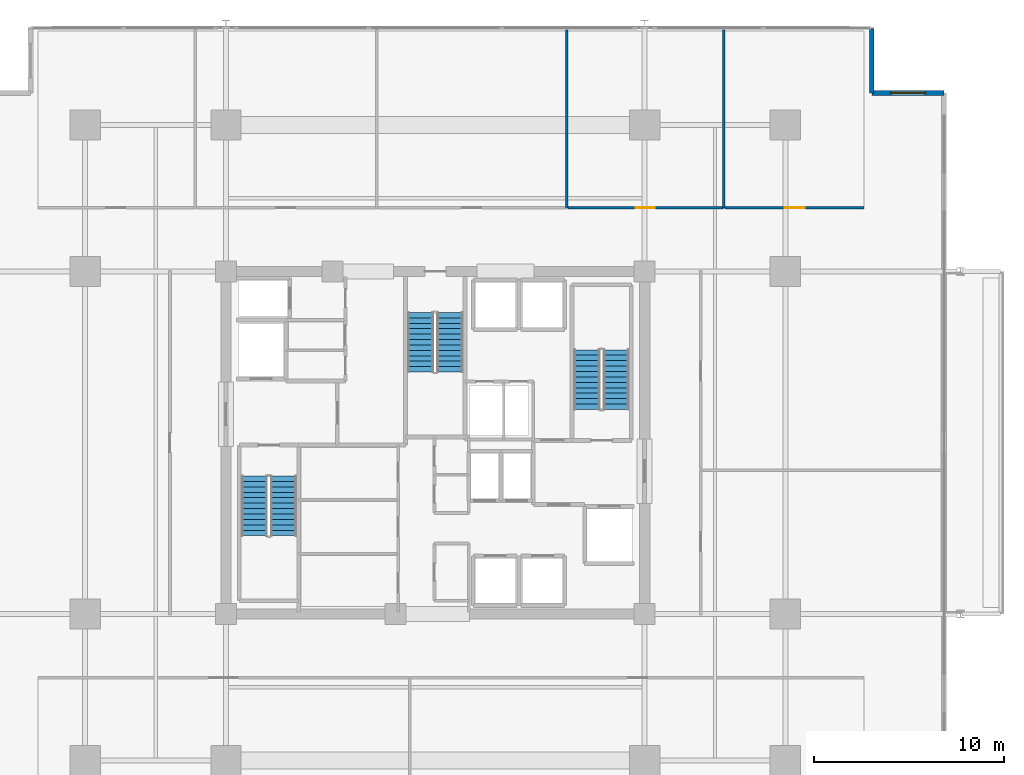
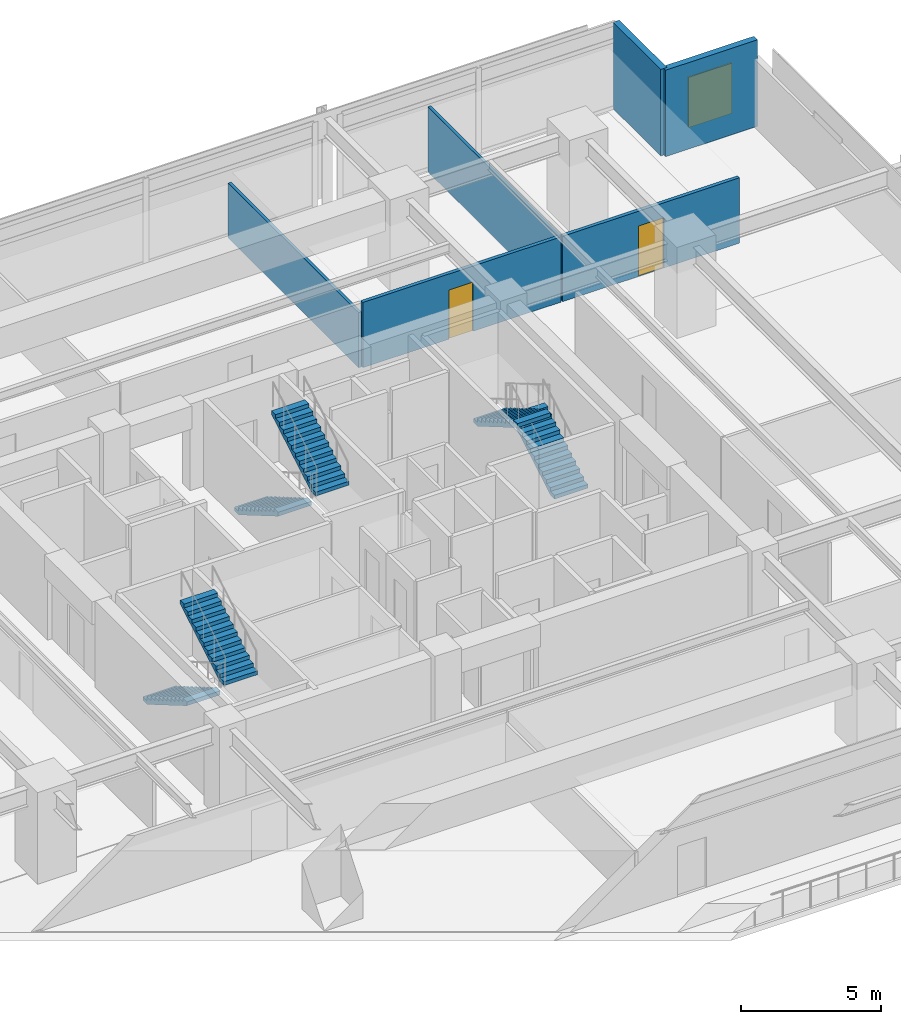
# One storey, part 16 of 21: 6 stair flights, 6 walls, 2 doors, 1 window, 3 openings, 3 elements without a shape of their own.
"""IFC4 building model written with IfcOpenShell, lengths in metres."""

import ifcopenshell
import ifcopenshell.guid

model = None  # the IFC model being written
_history = None  # IfcOwnerHistory: only IFC2X3 demands one
_inside = {}  # id of a spatial element -> (the spatial element, [elements in it])
_under = {}  # id of a project, library or spatial element -> (it, [spatial elements below it])
_declared = {}  # id of a project -> (the project, [libraries it declares])
_typed = {}  # id of a type object -> (the type object, [elements of that type])
_made_of = {}  # id of a material, layer set ... -> (it, [elements and type objects made of it])


def new_model(schema):
    """Start an empty IFC model of exactly this schema.

    Asked for "IFC4X3", IfcOpenShell would pick the latest addendum, in which some entities
    have other attributes; the version numbers below select the first issue.
    IFC2X3 requires an IfcOwnerHistory on every rooted entity: one is made here for all.
    """
    global model, _history
    if schema == "IFC4X3":
        model = ifcopenshell.file(schema_version=(4, 3, 0, 0))
    else:
        model = ifcopenshell.file(schema=schema)
    _inside.clear()
    _under.clear()
    _declared.clear()
    _typed.clear()
    _made_of.clear()
    _history = None
    if model.schema == "IFC2X3":
        org = make("IfcOrganization", Name="unknown")
        user = make(
            "IfcPersonAndOrganization",
            ThePerson=make("IfcPerson", FamilyName="unknown"),
            TheOrganization=org,
        )
        app = make(
            "IfcApplication",
            ApplicationDeveloper=org,
            Version="unknown",
            ApplicationFullName="unknown",
            ApplicationIdentifier="unknown",
        )
        _history = make(
            "IfcOwnerHistory",
            OwningUser=user,
            OwningApplication=app,
            ChangeAction="ADDED",
            CreationDate=0,
        )
    return model


def make(cls, **values):
    """One entity of the class cls with the attributes given. An attribute that is None is left unset."""
    return model.create_entity(
        cls, **{name: value for name, value in values.items() if value is not None}
    )


def rooted(cls, **values):
    """An entity with a GlobalId (a new one), such as an element, a storey or a relation."""
    return make(cls, GlobalId=ifcopenshell.guid.new(), OwnerHistory=_history, **values)


def si_unit(unit_type, name, prefix=None):
    """IfcSIUnit, for example si_unit("LENGTHUNIT", "METRE", prefix="MILLI")."""
    return make("IfcSIUnit", UnitType=unit_type, Prefix=prefix, Name=name)


def assignment(units):
    """IfcUnitAssignment: the units of a project."""
    return None if units is None else make("IfcUnitAssignment", Units=units)


def point(xyz):
    """IfcCartesianPoint."""
    return None if xyz is None else make("IfcCartesianPoint", Coordinates=xyz)


def direction(xyz):
    """IfcDirection."""
    return None if xyz is None else make("IfcDirection", DirectionRatios=xyz)


def frame(location, z_axis=None, x_axis=None):
    """IfcAxis2Placement3D, a coordinate frame: its origin and axes. An axis left out is left unset."""
    return make(
        "IfcAxis2Placement3D",
        Location=point(location),
        Axis=direction(z_axis),
        RefDirection=direction(x_axis),
    )


def frame_2d(location, x_axis=None):
    """IfcAxis2Placement2D, a coordinate frame in the plane: its origin and x axis."""
    return make(
        "IfcAxis2Placement2D", Location=point(location), RefDirection=direction(x_axis)
    )


def origin():
    """The frame at (0, 0, 0) with its axes left unset."""
    return frame((0.0, 0.0, 0.0))


def place(relative_to, where):
    """IfcLocalPlacement: puts the frame where relative to a parent placement (None: the world)."""
    return make(
        "IfcLocalPlacement", PlacementRelTo=relative_to, RelativePlacement=where
    )


def context(
    kind, dimensions, precision=None, world=None, true_north=None, identifier=None
):
    """IfcGeometricRepresentationContext, for example the 3D "Model" context."""
    return make(
        "IfcGeometricRepresentationContext",
        ContextIdentifier=identifier,
        ContextType=kind,
        CoordinateSpaceDimension=dimensions,
        Precision=precision,
        WorldCoordinateSystem=world,
        TrueNorth=true_north,
    )


def subcontext(parent, identifier, kind, view, scale=None):
    """IfcGeometricRepresentationSubContext, for example "Body" below "Model"."""
    return make(
        "IfcGeometricRepresentationSubContext",
        ContextIdentifier=identifier,
        ContextType=kind,
        ParentContext=parent,
        TargetScale=scale,
        TargetView=view,
    )


def project(units=None, contexts=None):
    """IfcProject with its units and contexts."""
    return rooted(
        "IfcProject",
        Name="project",
        RepresentationContexts=contexts,
        UnitsInContext=assignment(units),
    )


def spatial(cls, under=None, at=None, **own):
    """A site, building, storey or space (cls), placed at a placement, below another one or the project."""
    s = rooted(cls, ObjectPlacement=at, **own)
    if under is not None:
        _under.setdefault(under.id(), (under, []))[1].append(s)
    return s


def polyline(points):
    """IfcPolyline through the points."""
    return make("IfcPolyline", Points=[point(p) for p in points])


def profile(cls, at=None, kind="AREA", **sizes):
    """A parametric profile (cls). Its sizes go by their IFC names, for example OverallWidth=200.0."""
    return make(cls, ProfileType=kind, Position=at, **sizes)


def rectangle(**sizes):
    """IfcRectangleProfileDef."""
    return profile("IfcRectangleProfileDef", **sizes)


def outline(outer, holes=None, kind="AREA"):
    """IfcArbitraryClosedProfileDef: a profile drawn as a closed curve; with holes, ...WithVoids."""
    if holes is None:
        return make("IfcArbitraryClosedProfileDef", ProfileType=kind, OuterCurve=outer)
    return make(
        "IfcArbitraryProfileDefWithVoids",
        ProfileType=kind,
        OuterCurve=outer,
        InnerCurves=holes,
    )


def extrude(swept, where, along, depth):
    """IfcExtrudedAreaSolid: the profile swept, set in the frame where, extruded along a direction by depth."""
    return make(
        "IfcExtrudedAreaSolid",
        SweptArea=swept,
        Position=where,
        ExtrudedDirection=direction(along),
        Depth=depth,
    )


def shape(context_of_items, identifier, shape_type, items):
    """IfcShapeRepresentation: the items that make up one representation, for example the "Body"."""
    return make(
        "IfcShapeRepresentation",
        ContextOfItems=context_of_items,
        RepresentationIdentifier=identifier,
        RepresentationType=shape_type,
        Items=items,
    )


def material(Name=None, Category=None):
    """IfcMaterial."""
    return make("IfcMaterial", Name=Name, Category=Category)


def layer(
    of_material, thickness, ventilated=None, Name=None, Category=None, Priority=None
):
    """IfcMaterialLayer: one layer of a wall or slab, of a material (None: an air gap)."""
    return make(
        "IfcMaterialLayer",
        Material=of_material,
        LayerThickness=thickness,
        IsVentilated=ventilated,
        Name=Name,
        Category=Category,
        Priority=Priority,
    )


def layer_set(layers, Name=None):
    """IfcMaterialLayerSet."""
    return make("IfcMaterialLayerSet", MaterialLayers=layers, LayerSetName=Name)


def made_of(thing, what):
    """Note that an element or type object is made of a material, layer set ...; save() writes the relation."""
    if what is not None:
        _made_of.setdefault(what.id(), (what, []))[1].append(thing)
    return thing


def type_object(cls, material=None, **own):
    """A type object (cls), such as IfcWallType, which elements share."""
    return made_of(rooted(cls, **own), material)


def element(
    cls,
    number,
    at=None,
    inside=None,
    cuts=None,
    type_object=None,
    material=None,
    context=None,
    identifier="Body",
    shape_type=None,
    held_by="IfcProductDefinitionShape",
    body=None,
    shapes=None,
    **own,
):
    """One element of the class cls, such as IfcWall. Its Tag is "e" and its number.

    at: its placement. inside: the storey or other place that contains it. cuts: it is an
    opening in that element (IfcRelVoidsElement). A single representation is given by context,
    identifier, shape_type and body (its items); several are given by shapes. held_by: the class
    of the entity that holds the representations. save() writes the other relations.
    """
    e = rooted(cls, Tag="e%d" % number, ObjectPlacement=at, **own)
    if body is not None:
        shapes = [shape(context, identifier, shape_type, body)]
    if shapes is not None:
        e.Representation = make(held_by, Representations=shapes)
    if inside is not None:
        _inside.setdefault(inside.id(), (inside, []))[1].append(e)
    if cuts is not None:
        rooted(
            "IfcRelVoidsElement", RelatingBuildingElement=cuts, RelatedOpeningElement=e
        )
    if type_object is not None:
        _typed.setdefault(type_object.id(), (type_object, []))[1].append(e)
    return made_of(e, material)


def fill(opening, filler):
    """IfcRelFillsElement: the door or window that sits in an opening."""
    return rooted(
        "IfcRelFillsElement",
        RelatingOpeningElement=opening,
        RelatedBuildingElement=filler,
    )


def aggregate(whole, parts):
    """IfcRelAggregates: a whole, such as a stair, and the parts it consists of."""
    return rooted("IfcRelAggregates", RelatingObject=whole, RelatedObjects=parts)


def save(model, path):
    """Write the relations noted so far, then the file.

    IfcRelAggregates (storeys below a building ...), IfcRelContainedInSpatialStructure (elements
    in a storey), IfcRelDefinesByType, IfcRelAssociatesMaterial and IfcRelDeclares: one each for
    every whole, place, type object, material and project.
    """
    for whole, parts in _under.values():
        aggregate(whole, parts)
    for where, things in _inside.values():
        rooted(
            "IfcRelContainedInSpatialStructure",
            RelatedElements=things,
            RelatingStructure=where,
        )
    for kind, things in _typed.values():
        rooted("IfcRelDefinesByType", RelatedObjects=things, RelatingType=kind)
    for what, things in _made_of.values():
        rooted("IfcRelAssociatesMaterial", RelatedObjects=things, RelatingMaterial=what)
    for by, libraries in _declared.values():
        rooted("IfcRelDeclares", RelatingContext=by, RelatedDefinitions=libraries)
    model.write(path)


model = new_model("IFC4")

# Units and contexts
model_context = context("Model", 3, precision=1e-05, world=origin(), true_north=direction((0.0, 1.0)))
body_context = subcontext(model_context, "Body", "Model", "MODEL_VIEW")
ifc_project = project(units=[si_unit("LENGTHUNIT", "METRE"), si_unit("AREAUNIT", "SQUARE_METRE"), si_unit("VOLUMEUNIT", "CUBIC_METRE"), si_unit("PLANEANGLEUNIT", "RADIAN"), si_unit("MASSUNIT", "GRAM", prefix="KILO")], contexts=[model_context])

# Site, building, storey
site_placement = place(None, origin())
site = spatial("IfcSite", under=ifc_project, at=site_placement, CompositionType="ELEMENT")
building_placement = place(site_placement, origin())
building = spatial("IfcBuilding", under=site, at=building_placement, Name="Kovane Verandah Tower", CompositionType="ELEMENT")
storey_placement = place(building_placement, frame((0.0, 0.0, 172.39990234375)))
storey = spatial("IfcBuildingStorey", under=building, at=storey_placement, Name="L40", CompositionType="ELEMENT", Elevation=172.39990234375)

# Wall, opening, door
ifc_material_1 = material(Name="Fire-Rated Gypsum Stud Partition", Category="gypsum")
ifc_layer_1 = layer(ifc_material_1, 0.14990234375)
ifc_layer_set_1 = layer_set([ifc_layer_1], Name="Fire-Rated Gypsum Stud Partition")
wall_type_1 = type_object("IfcWallType", Name="WL-COR-150", PredefinedType="PARTITIONING", material=ifc_layer_set_1)
wall_1_placement = place(storey_placement, frame((46.9814453125, 39.85009765625, 0.0), z_axis=(0.0, 0.0, 1.0), x_axis=(1.0, 0.0, 0.0)))
wall_1 = element("IfcWall", 1, at=wall_1_placement, inside=storey, type_object=wall_type_1, Name="L40 Open Plan Office N4 Corridor Partition", PredefinedType="PARTITIONING", context=body_context, shape_type="SweptSolid", body=[
    extrude(rectangle(XDim=8.177734375, YDim=0.14990234375, at=frame_2d((4.0888671875, 0.0))), origin(), (0.0, 0.0, 1.0), 2.85009765625),
])
opening_1_placement = place(wall_1_placement, frame((3.553955078125, 0.0, 0.0)))
opening_1 = element("IfcOpeningElement", 2, at=opening_1_placement, cuts=wall_1, Name="Opening DR-L40-023", PredefinedType="OPENING", context=body_context, shape_type="SweptSolid", body=[
    extrude(rectangle(XDim=1.0, YDim=2.14990234375, at=frame_2d((0.5, 1.074951171875))), frame((0.0, 0.074951171875, 0.0), z_axis=(0.0, -1.0, 0.0), x_axis=(1.0, 0.0, 0.0)), (0.0, 0.0, 1.0), 0.14990234375),
])
ifc_material_2 = material(Name="FSC Spotted-Gum Timber Fire-Rated Office Door", Category="wood")
door_type_1 = type_object("IfcDoorType", Name="DR-OFF-1000", OperationType="SINGLE_SWING_LEFT", PredefinedType="DOOR", material=ifc_material_2)
door_1_placement = place(opening_1_placement, origin())
door_1 = element("IfcDoor", 3, at=door_1_placement, inside=storey, type_object=door_type_1, Name="L40 Open Plan Office N4 Entrance Door", OperationType="SINGLE_SWING_RIGHT", OverallHeight=2.14990234375, OverallWidth=1.0, PredefinedType="DOOR", context=body_context, shape_type="SweptSolid", body=[
    extrude(rectangle(XDim=1.0, YDim=2.14990234375, at=frame_2d((0.5, 1.074951171875))), frame((0.0, 0.02490234375, 0.0), z_axis=(0.0, -1.0, 0.0), x_axis=(1.0, 0.0, 0.0)), (0.0, 0.0, 1.0), 0.050048828125),
])
fill(opening_1, door_1)

wall_2_placement = place(storey_placement, frame((55.229248046875, 39.85009765625, 0.0), z_axis=(0.0, 0.0, 1.0), x_axis=(1.0, 0.0, 0.0)))
wall_2 = element("IfcWall", 4, at=wall_2_placement, inside=storey, type_object=wall_type_1, Name="L40 Executive Office N5 Corridor Partition", PredefinedType="PARTITIONING", context=body_context, shape_type="SweptSolid", body=[
    extrude(rectangle(XDim=7.3095703125, YDim=0.14990234375, at=frame_2d((3.65478515625, 0.0))), origin(), (0.0, 0.0, 1.0), 2.85009765625),
])
opening_2_placement = place(wall_2_placement, frame((3.1298828125, 0.0, 0.0)))
opening_2 = element("IfcOpeningElement", 5, at=opening_2_placement, cuts=wall_2, Name="Opening DR-L40-024", PredefinedType="OPENING", context=body_context, shape_type="SweptSolid", body=[
    extrude(rectangle(XDim=1.050048828125, YDim=2.199951171875, at=frame_2d((0.52490234375, 1.10009765625))), frame((0.0, 0.074951171875, 0.0), z_axis=(0.0, -1.0, 0.0), x_axis=(1.0, 0.0, 0.0)), (0.0, 0.0, 1.0), 0.14990234375),
])
ifc_material_3 = material(Name="FSC Blackbutt Timber Fire-Rated Executive Door", Category="wood")
door_type_2 = type_object("IfcDoorType", Name="DR-EXEC-1050", OperationType="SINGLE_SWING_LEFT", PredefinedType="DOOR", material=ifc_material_3)
door_2_placement = place(opening_2_placement, origin())
door_2 = element("IfcDoor", 6, at=door_2_placement, inside=storey, type_object=door_type_2, Name="L40 Executive Office N5 Entrance Door", OperationType="SINGLE_SWING_LEFT", OverallHeight=2.199951171875, OverallWidth=1.050048828125, PredefinedType="DOOR", context=body_context, shape_type="SweptSolid", body=[
    extrude(rectangle(XDim=1.050048828125, YDim=2.199951171875, at=frame_2d((0.52490234375, 1.10009765625))), frame((0.0, 0.02490234375, 0.0), z_axis=(0.0, -1.0, 0.0), x_axis=(1.0, 0.0, 0.0)), (0.0, 0.0, 1.0), 0.050048828125),
])
fill(opening_2, door_2)

# Walls
ifc_material_4 = material(Name="Acoustic Fire-Rated Gypsum Partition", Category="gypsum")
ifc_layer_2 = layer(ifc_material_4, 0.1201171875)
ifc_layer_set_2 = layer_set([ifc_layer_2], Name="Acoustic Fire-Rated Gypsum Partition")
wall_type_2 = type_object("IfcWallType", Name="WL-PART-120", PredefinedType="PARTITIONING", material=ifc_layer_set_2)
wall_3_placement = place(storey_placement, frame((46.911376953125, 39.85009765625, 0.0), z_axis=(0.0, 0.0, 1.0), x_axis=(0.0, 1.0, 0.0)))
element("IfcWall", 7, at=wall_3_placement, inside=storey, type_object=wall_type_2, Name="L40 Document and Print Room N3 Dividing Partition", PredefinedType="PARTITIONING", context=body_context, shape_type="SweptSolid", body=[
    extrude(rectangle(XDim=9.339111328125, YDim=0.1201171875, at=frame_2d((4.66943359375, 0.0))), origin(), (0.0, 0.0, 1.0), 2.405029296875),
])
wall_4_placement = place(storey_placement, frame((55.1591796875, 39.85009765625, 0.0), z_axis=(0.0, 0.0, 1.0), x_axis=(0.0, 1.0, 0.0)))
element("IfcWall", 8, at=wall_4_placement, inside=storey, type_object=wall_type_2, Name="L40 Open Plan Office N4 Dividing Partition", PredefinedType="PARTITIONING", context=body_context, shape_type="SweptSolid", body=[
    extrude(rectangle(XDim=9.339111328125, YDim=0.1201171875, at=frame_2d((4.66943359375, 0.0))), origin(), (0.0, 0.0, 1.0), 2.85009765625),
])

# Wall, opening, window
ifc_material_5 = material(Name="Concrete C45/55 Insulated Spandrel Wall", Category="concrete")
ifc_layer_3 = layer(ifc_material_5, 0.260009765625)
ifc_layer_set_3 = layer_set([ifc_layer_3], Name="Concrete C45/55 Insulated Spandrel Wall")
wall_type_3 = type_object("IfcWallType", Name="WL-SPANDREL-260", PredefinedType="PARAPET", material=ifc_layer_set_3)
wall_5_placement = place(storey_placement, frame((66.73876953125, 45.889404296875, 0.0), z_axis=(0.0, 0.0, 1.0), x_axis=(-1.0, 0.0, 0.0)))
wall_5 = element("IfcWall", 9, at=wall_5_placement, inside=storey, type_object=wall_type_3, Name="L40 NE Notch Cheek Wall 1", PredefinedType="PARAPET", context=body_context, shape_type="SweptSolid", body=[
    extrude(rectangle(XDim=3.800048828125, YDim=0.260009765625, at=frame_2d((1.89990234375, 0.0))), origin(), (0.0, 0.0, 1.0), 3.775146484375),
])
opening_3_placement = place(wall_5_placement, frame((1.0, 0.0, 0.85009765625)))
opening_3 = element("IfcOpeningElement", 10, at=opening_3_placement, cuts=wall_5, Name="Opening W-03", PredefinedType="OPENING", context=body_context, shape_type="SweptSolid", body=[
    extrude(rectangle(XDim=1.800048828125, YDim=2.199951171875, at=frame_2d((0.89990234375, 1.10009765625))), frame((0.0, 0.1298828125, 0.0), z_axis=(0.0, -1.0, 0.0), x_axis=(1.0, 0.0, 0.0)), (0.0, 0.0, 1.0), 0.260009765625),
])
ifc_material_6 = material(Name="Clear Low-E Laminated Double Glazing in Anodised Frame", Category="glass")
window_type = type_object("IfcWindowType", Name="WN-NOTCH-1800x2200", PartitioningType="SINGLE_PANEL", PredefinedType="WINDOW", material=ifc_material_6)
window_placement = place(opening_3_placement, origin())
window = element("IfcWindow", 11, at=window_placement, inside=storey, type_object=window_type, Name="L40 NE Re-Entrant Corner Operable Window", OverallHeight=2.199951171875, OverallWidth=1.800048828125, PartitioningType="SINGLE_PANEL", PredefinedType="WINDOW", context=body_context, shape_type="SweptSolid", body=[
    extrude(rectangle(XDim=1.800048828125, YDim=2.199951171875, at=frame_2d((0.89990234375, 1.10009765625))), frame((0.0, 0.030029296875, 0.0), z_axis=(0.0, -1.0, 0.0), x_axis=(1.0, 0.0, 0.0)), (0.0, 0.0, 1.0), 0.06005859375),
])
fill(opening_3, window)

# Wall
wall_6_placement = place(storey_placement, frame((62.938720703125, 45.889404296875, 0.0), z_axis=(0.0, 0.0, 1.0), x_axis=(0.0, 1.0, 0.0)))
element("IfcWall", 12, at=wall_6_placement, inside=storey, type_object=wall_type_3, Name="L40 NE Notch Cheek Wall 2", PredefinedType="PARAPET", context=body_context, shape_type="SweptSolid", body=[
    extrude(rectangle(XDim=3.39990234375, YDim=0.260009765625, at=frame_2d((1.699951171875, 0.0))), origin(), (0.0, 0.0, 1.0), 3.775146484375),
])

# Stair, stair flights
ifc_material_7 = material(Name="Concrete C45/55", Category="concrete")
stair_type = type_object("IfcStairType", Name="ST-CORE-1380", PredefinedType="HALF_TURN_STAIR", material=ifc_material_7)
stair_1_placement = place(storey_placement, origin())
stair_1 = element("IfcStair", 13, at=stair_1_placement, inside=storey, type_object=stair_type, Name="L40 Exit Stair ST-01", PredefinedType="HALF_TURN_STAIR")
stair_flight_type = type_object("IfcStairFlightType", Name="STF-CORE-1380", PredefinedType="STRAIGHT", material=ifc_material_7)
stair_flight_1_placement = place(storey_placement, frame((30.489990234375, 25.75, 0.0), z_axis=(0.0, 0.0, 1.0), x_axis=(0.0, -1.0, 0.0)))
stair_flight_1 = element("IfcStairFlight", 14, at=stair_flight_1_placement, type_object=stair_flight_type, Name="ST-01 flight 1", NumberOfRisers=12, NumberOfTreads=11, PredefinedType="STRAIGHT", RiserHeight=0.166666667, TreadLength=0.285, context=body_context, shape_type="SweptSolid", body=[
    extrude(outline(polyline([(0.0, 0.0), (0.0, 0.166748046875), (0.284912109375, 0.166748046875), (0.284912109375, 0.333251953125), (0.570068359375, 0.333251953125), (0.570068359375, 0.5), (0.85498046875, 0.5), (0.85498046875, 0.666748046875), (1.139892578125, 0.666748046875), (1.139892578125, 0.833251953125), (1.425048828125, 0.833251953125), (1.425048828125, 1.0), (1.7099609375, 1.0), (1.7099609375, 1.166748046875), (1.9951171875, 1.166748046875), (1.9951171875, 1.333251953125), (2.280029296875, 1.333251953125), (2.280029296875, 1.5), (2.56494140625, 1.5), (2.56494140625, 1.666748046875), (2.85009765625, 1.666748046875), (2.85009765625, 1.833251953125), (3.135009765625, 1.833251953125), (3.135009765625, 2.0), (3.135009765625, 1.65966796875), (0.296875, 0.0), (0.0, 0.0)])), frame((0.0, 0.68994140625, 0.0), z_axis=(0.0, -1.0, 0.0), x_axis=(1.0, 0.0, 0.0)), (0.0, 0.0, 1.0), 1.3798828125),
])
stair_flight_2_placement = place(storey_placement, frame((32.030029296875, 22.614990234375, 2.0), z_axis=(0.0, 0.0, 1.0), x_axis=(0.0, 1.0, 0.0)))
stair_flight_2 = element("IfcStairFlight", 15, at=stair_flight_2_placement, type_object=stair_flight_type, Name="ST-01 flight 2", NumberOfRisers=12, NumberOfTreads=11, PredefinedType="STRAIGHT", RiserHeight=0.166666667, TreadLength=0.285, context=body_context, shape_type="SweptSolid", body=[
    extrude(outline(polyline([(0.0, 0.0), (0.0, 0.166748046875), (0.284912109375, 0.166748046875), (0.284912109375, 0.333251953125), (0.570068359375, 0.333251953125), (0.570068359375, 0.5), (0.85498046875, 0.5), (0.85498046875, 0.666748046875), (1.139892578125, 0.666748046875), (1.139892578125, 0.833251953125), (1.425048828125, 0.833251953125), (1.425048828125, 1.0), (1.7099609375, 1.0), (1.7099609375, 1.166748046875), (1.9951171875, 1.166748046875), (1.9951171875, 1.333251953125), (2.280029296875, 1.333251953125), (2.280029296875, 1.5), (2.56494140625, 1.5), (2.56494140625, 1.666748046875), (2.85009765625, 1.666748046875), (2.85009765625, 1.833251953125), (3.135009765625, 1.833251953125), (3.135009765625, 2.0), (3.135009765625, 1.65966796875), (0.296875, 0.0), (0.0, 0.0)])), frame((0.0, 0.68994140625, 0.0), z_axis=(0.0, -1.0, 0.0), x_axis=(1.0, 0.0, 0.0)), (0.0, 0.0, 1.0), 1.3798828125),
])
aggregate(stair_1, [stair_flight_1, stair_flight_2])

stair_2_placement = place(storey_placement, origin())
stair_2 = element("IfcStair", 16, at=stair_2_placement, inside=storey, type_object=stair_type, Name="L40 Exit Stair ST-02", PredefinedType="HALF_TURN_STAIR")
stair_flight_3_placement = place(storey_placement, frame((49.510009765625, 29.25, 0.0), z_axis=(0.0, 0.0, 1.0), x_axis=(0.0, 1.0, 0.0)))
stair_flight_3 = element("IfcStairFlight", 17, at=stair_flight_3_placement, type_object=stair_flight_type, Name="ST-02 flight 1", NumberOfRisers=12, NumberOfTreads=11, PredefinedType="STRAIGHT", RiserHeight=0.166666667, TreadLength=0.285, context=body_context, shape_type="SweptSolid", body=[
    extrude(outline(polyline([(0.0, 0.0), (0.0, 0.166748046875), (0.284912109375, 0.166748046875), (0.284912109375, 0.333251953125), (0.570068359375, 0.333251953125), (0.570068359375, 0.5), (0.85498046875, 0.5), (0.85498046875, 0.666748046875), (1.139892578125, 0.666748046875), (1.139892578125, 0.833251953125), (1.425048828125, 0.833251953125), (1.425048828125, 1.0), (1.7099609375, 1.0), (1.7099609375, 1.166748046875), (1.9951171875, 1.166748046875), (1.9951171875, 1.333251953125), (2.280029296875, 1.333251953125), (2.280029296875, 1.5), (2.56494140625, 1.5), (2.56494140625, 1.666748046875), (2.85009765625, 1.666748046875), (2.85009765625, 1.833251953125), (3.135009765625, 1.833251953125), (3.135009765625, 2.0), (3.135009765625, 1.65966796875), (0.296875, 0.0), (0.0, 0.0)])), frame((0.0, 0.68994140625, 0.0), z_axis=(0.0, -1.0, 0.0), x_axis=(1.0, 0.0, 0.0)), (0.0, 0.0, 1.0), 1.3798828125),
])
stair_flight_4_placement = place(storey_placement, frame((47.969970703125, 32.385009765625, 2.0), z_axis=(0.0, 0.0, 1.0), x_axis=(0.0, -1.0, 0.0)))
stair_flight_4 = element("IfcStairFlight", 18, at=stair_flight_4_placement, type_object=stair_flight_type, Name="ST-02 flight 2", NumberOfRisers=12, NumberOfTreads=11, PredefinedType="STRAIGHT", RiserHeight=0.166666667, TreadLength=0.285, context=body_context, shape_type="SweptSolid", body=[
    extrude(outline(polyline([(0.0, 0.0), (0.0, 0.166748046875), (0.284912109375, 0.166748046875), (0.284912109375, 0.333251953125), (0.570068359375, 0.333251953125), (0.570068359375, 0.5), (0.85498046875, 0.5), (0.85498046875, 0.666748046875), (1.139892578125, 0.666748046875), (1.139892578125, 0.833251953125), (1.425048828125, 0.833251953125), (1.425048828125, 1.0), (1.7099609375, 1.0), (1.7099609375, 1.166748046875), (1.9951171875, 1.166748046875), (1.9951171875, 1.333251953125), (2.280029296875, 1.333251953125), (2.280029296875, 1.5), (2.56494140625, 1.5), (2.56494140625, 1.666748046875), (2.85009765625, 1.666748046875), (2.85009765625, 1.833251953125), (3.135009765625, 1.833251953125), (3.135009765625, 2.0), (3.135009765625, 1.65966796875), (0.296875, 0.0), (0.0, 0.0)])), frame((0.0, 0.68994140625, 0.0), z_axis=(0.0, -1.0, 0.0), x_axis=(1.0, 0.0, 0.0)), (0.0, 0.0, 1.0), 1.3798828125),
])
aggregate(stair_2, [stair_flight_3, stair_flight_4])

stair_3_placement = place(storey_placement, origin())
stair_3 = element("IfcStair", 19, at=stair_3_placement, inside=storey, type_object=stair_type, Name="L40 Exit Stair ST-03", PredefinedType="HALF_TURN_STAIR")
stair_flight_5_placement = place(storey_placement, frame((39.22998046875, 34.35009765625, 0.0), z_axis=(0.0, 0.0, 1.0), x_axis=(0.0, -1.0, 0.0)))
stair_flight_5 = element("IfcStairFlight", 20, at=stair_flight_5_placement, type_object=stair_flight_type, Name="ST-03 flight 1", NumberOfRisers=12, NumberOfTreads=11, PredefinedType="STRAIGHT", RiserHeight=0.166666667, TreadLength=0.285, context=body_context, shape_type="SweptSolid", body=[
    extrude(outline(polyline([(0.0, 0.0), (0.0, 0.166748046875), (0.284912109375, 0.166748046875), (0.284912109375, 0.333251953125), (0.570068359375, 0.333251953125), (0.570068359375, 0.5), (0.85498046875, 0.5), (0.85498046875, 0.666748046875), (1.139892578125, 0.666748046875), (1.139892578125, 0.833251953125), (1.425048828125, 0.833251953125), (1.425048828125, 1.0), (1.7099609375, 1.0), (1.7099609375, 1.166748046875), (1.9951171875, 1.166748046875), (1.9951171875, 1.333251953125), (2.280029296875, 1.333251953125), (2.280029296875, 1.5), (2.56494140625, 1.5), (2.56494140625, 1.666748046875), (2.85009765625, 1.666748046875), (2.85009765625, 1.833251953125), (3.135009765625, 1.833251953125), (3.135009765625, 2.0), (3.135009765625, 1.65966796875), (0.296875, 0.0), (0.0, 0.0)])), frame((0.0, 0.68994140625, 0.0), z_axis=(0.0, -1.0, 0.0), x_axis=(1.0, 0.0, 0.0)), (0.0, 0.0, 1.0), 1.3798828125),
])
stair_flight_6_placement = place(storey_placement, frame((40.77001953125, 31.215087890625, 2.0), z_axis=(0.0, 0.0, 1.0), x_axis=(0.0, 1.0, 0.0)))
stair_flight_6 = element("IfcStairFlight", 21, at=stair_flight_6_placement, type_object=stair_flight_type, Name="ST-03 flight 2", NumberOfRisers=12, NumberOfTreads=11, PredefinedType="STRAIGHT", RiserHeight=0.166666667, TreadLength=0.285, context=body_context, shape_type="SweptSolid", body=[
    extrude(outline(polyline([(0.0, 0.0), (0.0, 0.166748046875), (0.284912109375, 0.166748046875), (0.284912109375, 0.333251953125), (0.570068359375, 0.333251953125), (0.570068359375, 0.5), (0.85498046875, 0.5), (0.85498046875, 0.666748046875), (1.139892578125, 0.666748046875), (1.139892578125, 0.833251953125), (1.425048828125, 0.833251953125), (1.425048828125, 1.0), (1.7099609375, 1.0), (1.7099609375, 1.166748046875), (1.9951171875, 1.166748046875), (1.9951171875, 1.333251953125), (2.280029296875, 1.333251953125), (2.280029296875, 1.5), (2.56494140625, 1.5), (2.56494140625, 1.666748046875), (2.85009765625, 1.666748046875), (2.85009765625, 1.833251953125), (3.135009765625, 1.833251953125), (3.135009765625, 2.0), (3.135009765625, 1.65966796875), (0.296875, 0.0), (0.0, 0.0)])), frame((0.0, 0.68994140625, 0.0), z_axis=(0.0, -1.0, 0.0), x_axis=(1.0, 0.0, 0.0)), (0.0, 0.0, 1.0), 1.3798828125),
])
aggregate(stair_3, [stair_flight_5, stair_flight_6])

save(model, "model.ifc")
